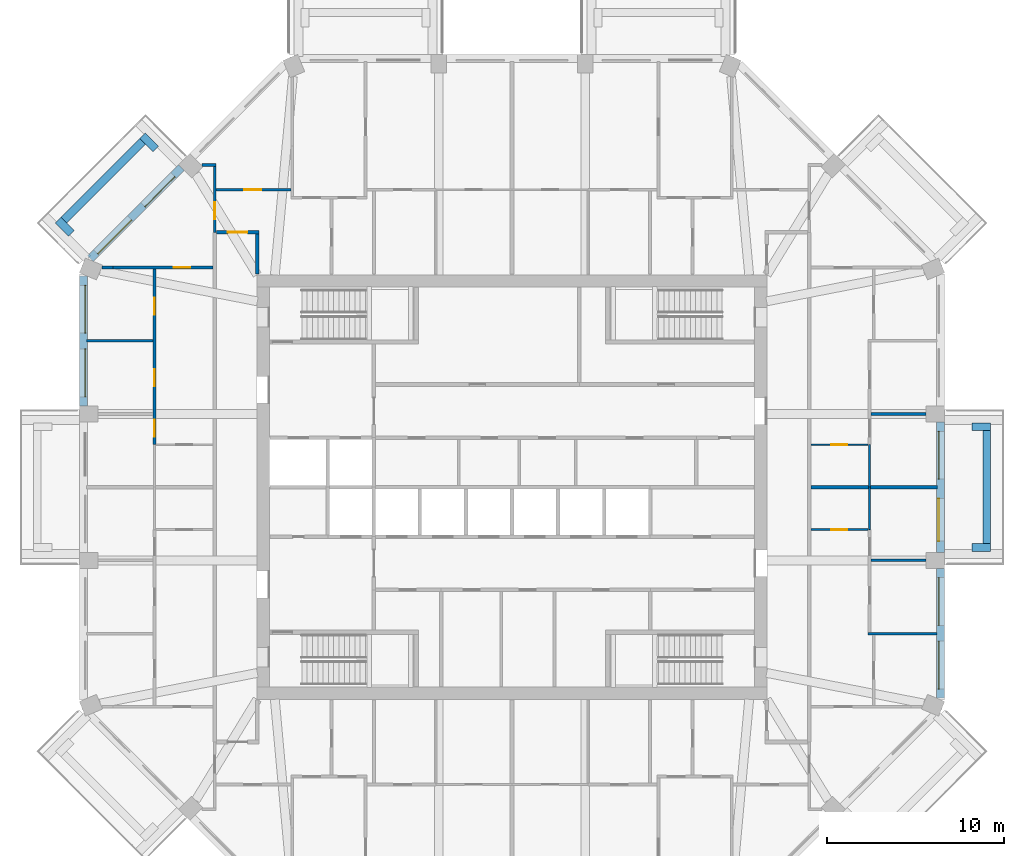
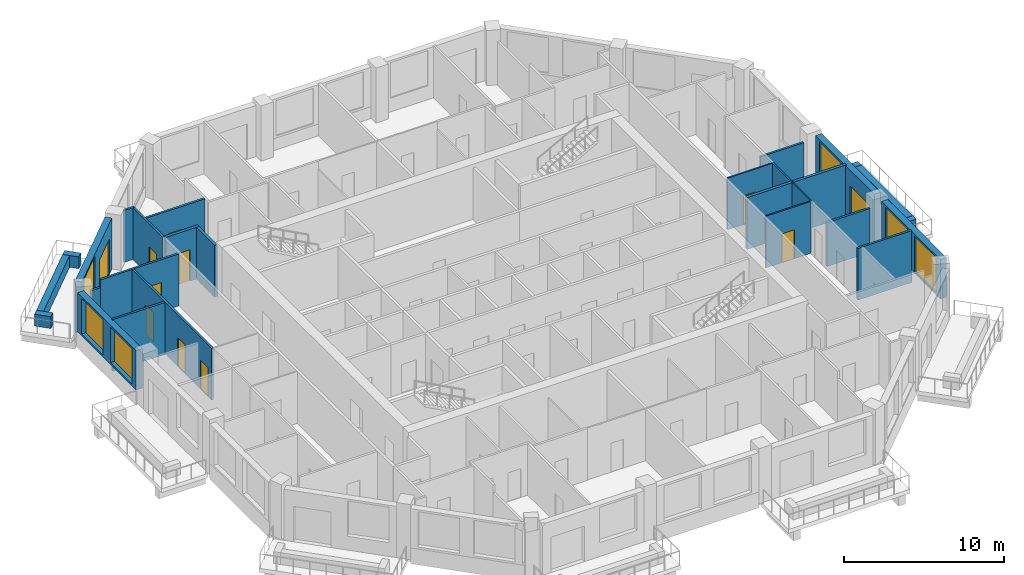
# One storey, part 7 of 12: 27 walls, 11 doors, 6 windows, 17 openings.
"""IFC4 building model written with IfcOpenShell, lengths in metres."""

from ifc_helpers import new_model, si_unit, direction, frame, frame_2d, origin, place, context, subcontext, project, spatial, rectangle, extrude, material, layer, layer_set, type_object, element, fill, save


model = new_model("IFC4")

# Units and contexts
model_context = context("Model", 3, precision=1e-05, world=origin(), true_north=direction((0.0, 1.0)))
body_context = subcontext(model_context, "Body", "Model", "MODEL_VIEW")
ifc_project = project(units=[si_unit("LENGTHUNIT", "METRE"), si_unit("AREAUNIT", "SQUARE_METRE"), si_unit("VOLUMEUNIT", "CUBIC_METRE"), si_unit("PLANEANGLEUNIT", "RADIAN"), si_unit("MASSUNIT", "GRAM", prefix="KILO")], contexts=[model_context])

# Site, building, storey
site_placement = place(None, origin())
site = spatial("IfcSite", under=ifc_project, at=site_placement, CompositionType="ELEMENT")
building_placement = place(site_placement, origin())
building = spatial("IfcBuilding", under=site, at=building_placement, Name="Msitu Wima Residences", CompositionType="ELEMENT")
storey_placement = place(building_placement, frame((0.0, 0.0, 179.10009765625)))
storey = spatial("IfcBuildingStorey", under=building, at=storey_placement, Name="L41", CompositionType="ELEMENT", Elevation=179.10009765625)

# Walls
ifc_material_1 = material(Name="Facing brick")
ifc_layer_1 = layer(ifc_material_1, 0.06494140625, Name="Facing brick")
ifc_material_2 = material(Name="Concrete C40/50", Category="concrete")
ifc_layer_2 = layer(ifc_material_2, 0.156005859375, Name="Concrete C40/50")
ifc_material_3 = material(Name="Waterproofing membrane")
ifc_layer_3 = layer(ifc_material_3, 0.00390625, Name="Waterproofing membrane")
ifc_material_4 = material(Name="Planting soil and planting")
ifc_layer_4 = layer(ifc_material_4, 0.22509765625, Name="Planting soil and planting")
ifc_layer_set_1 = layer_set([ifc_layer_1, ifc_layer_2, ifc_layer_3, ifc_layer_4], Name="Concrete C40/50")
wall_type_1 = type_object("IfcWallType", Name="Balcony planter PLANTER PL450", PredefinedType="USERDEFINED", material=ifc_layer_set_1)
wall_1_placement = place(storey_placement, frame((26.824951171875, -3.187255859375, 0.0), z_axis=(0.0, 0.0, 1.0), x_axis=(0.0, 1.0, 0.0)))
element("IfcWall", 1, at=wall_1_placement, inside=storey, type_object=wall_type_1, Name="Balcony planter E1 L41", ObjectType="PLANTER", PredefinedType="USERDEFINED", context=body_context, shape_type="SweptSolid", body=[
    extrude(rectangle(XDim=6.37451171875, YDim=0.449951171875, at=frame_2d((3.187255859375, 0.0))), origin(), (0.0, 0.0, 1.0), 0.89990234375),
])
for number, where, z_axis, x_axis, name in (
    (2, (26.0, -3.412353515625, 0.0), (0.0, 0.0, 1.0), (1.0, 0.0, 0.0), "Balcony planter E1 L41"),
    (3, (26.0, 3.412353515625, 0.0), (0.0, 0.0, 1.0), (1.0, 0.0, 0.0), "Balcony planter E1 L41"),
):
    element("IfcWall", number, at=place(storey_placement, frame(where, z_axis=z_axis, x_axis=x_axis)), inside=storey, type_object=wall_type_1, Name=name, ObjectType="PLANTER", PredefinedType="USERDEFINED", context=body_context, shape_type="SweptSolid", body=[
        extrude(rectangle(XDim=1.050048828125, YDim=0.449951171875, at=frame_2d((0.52490234375, 0.0))), origin(), (0.0, 0.0, 1.0), 0.89990234375),
    ])
wall_2_placement = place(storey_placement, frame((-20.875244140625, 19.53173828125, 0.0), z_axis=(0.0, 0.0, 1.0), x_axis=(-0.707106781187, -0.707106781187, 0.0)))
element("IfcWall", 4, at=wall_2_placement, inside=storey, type_object=wall_type_1, Name="Balcony planter NW1 L41", ObjectType="PLANTER", PredefinedType="USERDEFINED", context=body_context, shape_type="SweptSolid", body=[
    extrude(rectangle(XDim=6.294189453125, YDim=0.449951171875, at=frame_2d((3.14697265625, 0.0))), origin(), (0.0, 0.0, 1.0), 0.89990234375),
])
for number, where, z_axis, x_axis, name in (
    (5, (-20.1328125, 19.107421875, 0.0), (0.0, 0.0, 1.0), (-0.707106781187, 0.707106781187, 0.0), "Balcony planter NW1 L41"),
    (6, (-24.901611328125, 14.338623046875, 0.0), (0.0, 0.0, 1.0), (-0.707106781187, 0.707106781187, 0.0), "Balcony planter NW1 L41"),
):
    element("IfcWall", number, at=place(storey_placement, frame(where, z_axis=z_axis, x_axis=x_axis)), inside=storey, type_object=wall_type_1, Name=name, ObjectType="PLANTER", PredefinedType="USERDEFINED", context=body_context, shape_type="SweptSolid", body=[
        extrude(rectangle(XDim=1.050048828125, YDim=0.449951171875, at=frame_2d((0.52490234375, 0.0))), origin(), (0.0, 0.0, 1.0), 0.89990234375),
    ])

# Wall, openings, windows
ifc_material_5 = material(Name="Brick (red buff mix)", Category="masonry")
ifc_layer_5 = layer(ifc_material_5, 0.449951171875)
ifc_layer_set_2 = layer_set([ifc_layer_5], Name="Brick (red buff mix)")
wall_type_2 = type_object("IfcWallType", Name="Brick infill wall BW450", PredefinedType="SOLIDWALL", material=ifc_layer_set_2)
wall_3_placement = place(storey_placement, frame((24.22509765625, -11.9248046875, 0.89990234375), z_axis=(0.0, 0.0, 1.0), x_axis=(0.0, 1.0, 0.0)))
wall_3 = element("IfcWall", 7, at=wall_3_placement, inside=storey, type_object=wall_type_2, Name="Brick infill wall L41 E0", PredefinedType="SOLIDWALL", context=body_context, shape_type="SweptSolid", body=[
    extrude(rectangle(XDim=7.337646484375, YDim=0.449951171875, at=frame_2d((3.6689453125, 0.0))), origin(), (0.0, 0.0, 1.0), 3.0),
])
opening_1_placement = place(wall_3_placement, frame((0.518798828125, 0.0, 0.14990234375)))
opening_1 = element("IfcOpeningElement", 8, at=opening_1_placement, cuts=wall_3, Name="Opening W40-42.001", PredefinedType="OPENING", context=body_context, shape_type="SweptSolid", body=[
    extrude(rectangle(XDim=2.699951171875, YDim=2.699951171875, at=frame_2d((1.35009765625, 1.35009765625))), frame((0.0, 0.23486328125, 0.0), z_axis=(0.0, -1.0, 0.0), x_axis=(1.0, 0.0, 0.0)), (0.0, 0.0, 1.0), 0.469970703125),
])
opening_2_placement = place(wall_3_placement, frame((4.11865234375, 0.0, 0.14990234375)))
opening_2 = element("IfcOpeningElement", 9, at=opening_2_placement, cuts=wall_3, Name="Opening W40-42.002", PredefinedType="OPENING", context=body_context, shape_type="SweptSolid", body=[
    extrude(rectangle(XDim=2.699951171875, YDim=2.699951171875, at=frame_2d((1.35009765625, 1.35009765625))), frame((0.0, 0.23486328125, 0.0), z_axis=(0.0, -1.0, 0.0), x_axis=(1.0, 0.0, 0.0)), (0.0, 0.0, 1.0), 0.469970703125),
])
ifc_material_6 = material(Name="Anodised aluminium, bronze finish, clear low-emissivity double glazing", Category="aluminium")
window_type = type_object("IfcWindowType", Name="Window W2700x2700", PartitioningType="DOUBLE_PANEL_VERTICAL", PredefinedType="WINDOW", material=ifc_material_6)
window_1_placement = place(opening_1_placement, origin())
window_1 = element("IfcWindow", 10, at=window_1_placement, inside=storey, type_object=window_type, Name="Window L41 E0.1", OverallHeight=2.699951171875, OverallWidth=2.699951171875, PartitioningType="SINGLE_PANEL", PredefinedType="WINDOW", context=body_context, shape_type="SweptSolid", body=[
    extrude(rectangle(XDim=2.699951171875, YDim=2.699951171875, at=frame_2d((1.35009765625, 1.35009765625))), frame((0.0, 0.135009765625, 0.0), z_axis=(0.0, -1.0, 0.0), x_axis=(1.0, 0.0, 0.0)), (0.0, 0.0, 1.0), 0.06005859375),
])
fill(opening_1, window_1)
window_2_placement = place(opening_2_placement, origin())
window_2 = element("IfcWindow", 11, at=window_2_placement, inside=storey, type_object=window_type, Name="Window L41 E0.2", OverallHeight=2.699951171875, OverallWidth=2.699951171875, PartitioningType="SINGLE_PANEL", PredefinedType="WINDOW", context=body_context, shape_type="SweptSolid", body=[
    extrude(rectangle(XDim=2.699951171875, YDim=2.699951171875, at=frame_2d((1.35009765625, 1.35009765625))), frame((0.0, 0.135009765625, 0.0), z_axis=(0.0, -1.0, 0.0), x_axis=(1.0, 0.0, 0.0)), (0.0, 0.0, 1.0), 0.06005859375),
])
fill(opening_2, window_2)

# Wall, openings, door, window
wall_4_placement = place(storey_placement, frame((24.22509765625, -3.687255859375, 0.0), z_axis=(0.0, 0.0, 1.0), x_axis=(0.0, 1.0, 0.0)))
wall_4 = element("IfcWall", 12, at=wall_4_placement, inside=storey, type_object=wall_type_2, Name="Brick infill wall L41 E1", PredefinedType="SOLIDWALL", context=body_context, shape_type="SweptSolid", body=[
    extrude(rectangle(XDim=7.37451171875, YDim=0.449951171875, at=frame_2d((3.687255859375, 0.0))), origin(), (0.0, 0.0, 1.0), 3.89990234375),
])
opening_3_placement = place(wall_4_placement, frame((0.6435546875, 0.0, 0.0)))
opening_3 = element("IfcOpeningElement", 13, at=opening_3_placement, cuts=wall_4, Name="Opening D40-42.001", PredefinedType="OPENING", context=body_context, shape_type="SweptSolid", body=[
    extrude(rectangle(XDim=2.39990234375, YDim=2.699951171875, at=frame_2d((1.199951171875, 1.35009765625))), frame((0.0, 0.23486328125, 0.0), z_axis=(0.0, -1.0, 0.0), x_axis=(1.0, 0.0, 0.0)), (0.0, 0.0, 1.0), 0.469970703125),
])
opening_4_placement = place(wall_4_placement, frame((4.13720703125, 0.0, 1.050048828125)))
opening_4 = element("IfcOpeningElement", 14, at=opening_4_placement, cuts=wall_4, Name="Opening W40-42.003", PredefinedType="OPENING", context=body_context, shape_type="SweptSolid", body=[
    extrude(rectangle(XDim=2.699951171875, YDim=2.699951171875, at=frame_2d((1.35009765625, 1.35009765625))), frame((0.0, 0.23486328125, 0.0), z_axis=(0.0, -1.0, 0.0), x_axis=(1.0, 0.0, 0.0)), (0.0, 0.0, 1.0), 0.469970703125),
])
door_type_1 = type_object("IfcDoorType", Name="Balcony door D2400x2700", OperationType="SLIDING_TO_LEFT", PredefinedType="DOOR", material=ifc_material_6)
door_1_placement = place(opening_3_placement, origin())
door_1 = element("IfcDoor", 15, at=door_1_placement, inside=storey, type_object=door_type_1, Name="Balcony door L41 E1", OperationType="SINGLE_SWING_LEFT", OverallHeight=2.699951171875, OverallWidth=2.39990234375, PredefinedType="DOOR", context=body_context, shape_type="SweptSolid", body=[
    extrude(rectangle(XDim=2.39990234375, YDim=2.699951171875, at=frame_2d((1.199951171875, 1.35009765625))), frame((0.0, 0.1298828125, 0.0), z_axis=(0.0, -1.0, 0.0), x_axis=(1.0, 0.0, 0.0)), (0.0, 0.0, 1.0), 0.050048828125),
])
fill(opening_3, door_1)
window_3_placement = place(opening_4_placement, origin())
window_3 = element("IfcWindow", 16, at=window_3_placement, inside=storey, type_object=window_type, Name="Window L41 E1.2", OverallHeight=2.699951171875, OverallWidth=2.699951171875, PartitioningType="SINGLE_PANEL", PredefinedType="WINDOW", context=body_context, shape_type="SweptSolid", body=[
    extrude(rectangle(XDim=2.699951171875, YDim=2.699951171875, at=frame_2d((1.35009765625, 1.35009765625))), frame((0.0, 0.135009765625, 0.0), z_axis=(0.0, -1.0, 0.0), x_axis=(1.0, 0.0, 0.0)), (0.0, 0.0, 1.0), 0.06005859375),
])
fill(opening_4, window_3)

wall_5_placement = place(storey_placement, frame((-18.68310546875, 18.046875, 0.0), z_axis=(0.0, 0.0, 1.0), x_axis=(-0.707106781187, -0.707106781187, 0.0)))
wall_5 = element("IfcWall", 17, at=wall_5_placement, inside=storey, type_object=wall_type_2, Name="Brick infill wall L41 NW1", PredefinedType="SOLIDWALL", context=body_context, shape_type="SweptSolid", body=[
    extrude(rectangle(XDim=7.257080078125, YDim=0.449951171875, at=frame_2d((3.62841796875, 0.0))), origin(), (0.0, 0.0, 1.0), 3.89990234375),
])
opening_5_placement = place(wall_5_placement, frame((0.6142578125, 0.0, 0.0)))
opening_5 = element("IfcOpeningElement", 18, at=opening_5_placement, cuts=wall_5, Name="Opening D40-42.005", PredefinedType="OPENING", context=body_context, shape_type="SweptSolid", body=[
    extrude(rectangle(XDim=2.39990234375, YDim=2.699951171875, at=frame_2d((1.199951171875, 1.35009765625))), frame((0.0, 0.23486328125, 0.0), z_axis=(0.0, -1.0, 0.0), x_axis=(1.0, 0.0, 0.0)), (0.0, 0.0, 1.0), 0.469970703125),
])
opening_6_placement = place(wall_5_placement, frame((4.07861328125, 0.0, 1.050048828125)))
opening_6 = element("IfcOpeningElement", 19, at=opening_6_placement, cuts=wall_5, Name="Opening W40-42.015", PredefinedType="OPENING", context=body_context, shape_type="SweptSolid", body=[
    extrude(rectangle(XDim=2.699951171875, YDim=2.699951171875, at=frame_2d((1.35009765625, 1.35009765625))), frame((0.0, 0.23486328125, 0.0), z_axis=(0.0, -1.0, 0.0), x_axis=(1.0, 0.0, 0.0)), (0.0, 0.0, 1.0), 0.469970703125),
])
door_2_placement = place(opening_5_placement, origin())
door_2 = element("IfcDoor", 20, at=door_2_placement, inside=storey, type_object=door_type_1, Name="Balcony door L41 NW1", OperationType="SINGLE_SWING_LEFT", OverallHeight=2.699951171875, OverallWidth=2.39990234375, PredefinedType="DOOR", context=body_context, shape_type="SweptSolid", body=[
    extrude(rectangle(XDim=2.39990234375, YDim=2.699951171875, at=frame_2d((1.199951171875, 1.35009765625))), frame((0.0, 0.1298828125, 0.0), z_axis=(0.0, -1.0, 0.0), x_axis=(1.0, 0.0, 0.0)), (0.0, 0.0, 1.0), 0.050048828125),
])
fill(opening_5, door_2)
window_4_placement = place(opening_6_placement, origin())
window_4 = element("IfcWindow", 21, at=window_4_placement, inside=storey, type_object=window_type, Name="Window L41 NW1.2", OverallHeight=2.699951171875, OverallWidth=2.699951171875, PartitioningType="SINGLE_PANEL", PredefinedType="WINDOW", context=body_context, shape_type="SweptSolid", body=[
    extrude(rectangle(XDim=2.699951171875, YDim=2.699951171875, at=frame_2d((1.35009765625, 1.35009765625))), frame((0.0, 0.135009765625, 0.0), z_axis=(0.0, -1.0, 0.0), x_axis=(1.0, 0.0, 0.0)), (0.0, 0.0, 1.0), 0.06005859375),
])
fill(opening_6, window_4)

# Wall, openings, windows
wall_6_placement = place(storey_placement, frame((-24.22509765625, 11.9248046875, 0.89990234375), z_axis=(0.0, 0.0, 1.0), x_axis=(0.0, -1.0, 0.0)))
wall_6 = element("IfcWall", 22, at=wall_6_placement, inside=storey, type_object=wall_type_2, Name="Brick infill wall L41 W0", PredefinedType="SOLIDWALL", context=body_context, shape_type="SweptSolid", body=[
    extrude(rectangle(XDim=7.337646484375, YDim=0.449951171875, at=frame_2d((3.6689453125, 0.0))), origin(), (0.0, 0.0, 1.0), 3.0),
])
opening_7_placement = place(wall_6_placement, frame((0.518798828125, 0.0, 0.14990234375)))
opening_7 = element("IfcOpeningElement", 23, at=opening_7_placement, cuts=wall_6, Name="Opening W40-42.026", PredefinedType="OPENING", context=body_context, shape_type="SweptSolid", body=[
    extrude(rectangle(XDim=2.699951171875, YDim=2.699951171875, at=frame_2d((1.35009765625, 1.35009765625))), frame((0.0, 0.23486328125, 0.0), z_axis=(0.0, -1.0, 0.0), x_axis=(1.0, 0.0, 0.0)), (0.0, 0.0, 1.0), 0.469970703125),
])
opening_8_placement = place(wall_6_placement, frame((4.11865234375, 0.0, 0.14990234375)))
opening_8 = element("IfcOpeningElement", 24, at=opening_8_placement, cuts=wall_6, Name="Opening W40-42.027", PredefinedType="OPENING", context=body_context, shape_type="SweptSolid", body=[
    extrude(rectangle(XDim=2.699951171875, YDim=2.699951171875, at=frame_2d((1.35009765625, 1.35009765625))), frame((0.0, 0.23486328125, 0.0), z_axis=(0.0, -1.0, 0.0), x_axis=(1.0, 0.0, 0.0)), (0.0, 0.0, 1.0), 0.469970703125),
])
window_5_placement = place(opening_7_placement, origin())
window_5 = element("IfcWindow", 25, at=window_5_placement, inside=storey, type_object=window_type, Name="Window L41 W0.1", OverallHeight=2.699951171875, OverallWidth=2.699951171875, PartitioningType="SINGLE_PANEL", PredefinedType="WINDOW", context=body_context, shape_type="SweptSolid", body=[
    extrude(rectangle(XDim=2.699951171875, YDim=2.699951171875, at=frame_2d((1.35009765625, 1.35009765625))), frame((0.0, 0.135009765625, 0.0), z_axis=(0.0, -1.0, 0.0), x_axis=(1.0, 0.0, 0.0)), (0.0, 0.0, 1.0), 0.06005859375),
])
fill(opening_7, window_5)
window_6_placement = place(opening_8_placement, origin())
window_6 = element("IfcWindow", 26, at=window_6_placement, inside=storey, type_object=window_type, Name="Window L41 W0.2", OverallHeight=2.699951171875, OverallWidth=2.699951171875, PartitioningType="SINGLE_PANEL", PredefinedType="WINDOW", context=body_context, shape_type="SweptSolid", body=[
    extrude(rectangle(XDim=2.699951171875, YDim=2.699951171875, at=frame_2d((1.35009765625, 1.35009765625))), frame((0.0, 0.135009765625, 0.0), z_axis=(0.0, -1.0, 0.0), x_axis=(1.0, 0.0, 0.0)), (0.0, 0.0, 1.0), 0.06005859375),
])
fill(opening_8, window_6)

# Wall, opening, door
ifc_material_7 = material(Name="Plaster")
ifc_layer_6 = layer(ifc_material_7, 0.011962890625, Name="Plaster")
ifc_material_8 = material(Name="Concrete blockwork", Category="masonry")
ifc_layer_7 = layer(ifc_material_8, 0.176025390625, Name="Concrete blockwork")
ifc_layer_8 = layer(ifc_material_7, 0.011962890625, Name="Plaster")
ifc_layer_set_3 = layer_set([ifc_layer_6, ifc_layer_7, ifc_layer_8], Name="Concrete blockwork")
wall_type_3 = type_object("IfcWallType", Name="Corridor wall FW200", PredefinedType="PARTITIONING", material=ifc_layer_set_3)
wall_7_placement = place(storey_placement, frame((-16.699951171875, 14.39990234375, 0.0), z_axis=(0.0, 0.0, 1.0), x_axis=(1.0, 0.0, 0.0)))
wall_7 = element("IfcWall", 27, at=wall_7_placement, inside=storey, type_object=wall_type_3, Name="Corridor wall", PredefinedType="PARTITIONING", context=body_context, shape_type="SweptSolid", body=[
    extrude(rectangle(XDim=2.39990234375, YDim=0.199951171875, at=frame_2d((1.199951171875, 0.0))), origin(), (0.0, 0.0, 1.0), 3.949951171875),
])
opening_9_placement = place(wall_7_placement, frame((0.64990234375, 0.0, 0.0)))
opening_9 = element("IfcOpeningElement", 28, at=opening_9_placement, cuts=wall_7, Name="Opening D40-42.025", PredefinedType="OPENING", context=body_context, shape_type="SweptSolid", body=[
    extrude(rectangle(XDim=1.10009765625, YDim=2.39990234375, at=frame_2d((0.550048828125, 1.199951171875))), frame((0.0, 0.10986328125, 0.0), z_axis=(0.0, -1.0, 0.0), x_axis=(1.0, 0.0, 0.0)), (0.0, 0.0, 1.0), 0.219970703125),
])
ifc_material_9 = material(Name="Timber flush door, fire resisting, self-closing", Category="wood")
door_type_2 = type_object("IfcDoorType", Name="Flat entrance door D01 1100x2400", OperationType="SINGLE_SWING_LEFT", PredefinedType="DOOR", material=ifc_material_9)
door_3_placement = place(opening_9_placement, origin())
door_3 = element("IfcDoor", 29, at=door_3_placement, inside=storey, type_object=door_type_2, Name="Flat entrance door", OperationType="SINGLE_SWING_LEFT", OverallHeight=2.39990234375, OverallWidth=1.10009765625, PredefinedType="DOOR", context=body_context, shape_type="SweptSolid", body=[
    extrude(rectangle(XDim=1.10009765625, YDim=2.39990234375, at=frame_2d((0.550048828125, 1.199951171875))), frame((0.0, 0.02490234375, 0.0), z_axis=(0.0, -1.0, 0.0), x_axis=(1.0, 0.0, 0.0)), (0.0, 0.0, 1.0), 0.050048828125),
])
fill(opening_9, door_3)

# Walls
wall_8_placement = place(storey_placement, frame((-14.39990234375, 12.030029296875, 0.0), z_axis=(0.0, 0.0, 1.0), x_axis=(0.0, 1.0, 0.0)))
element("IfcWall", 30, at=wall_8_placement, inside=storey, type_object=wall_type_3, Name="Corridor wall", PredefinedType="PARTITIONING", context=body_context, shape_type="SweptSolid", body=[
    extrude(rectangle(XDim=2.27001953125, YDim=0.199951171875, at=frame_2d((1.135009765625, 0.0))), origin(), (0.0, 0.0, 1.0), 3.949951171875),
])
ifc_layer_9 = layer(ifc_material_7, 0.011962890625, Name="Plaster")
ifc_layer_10 = layer(ifc_material_8, 0.1259765625, Name="Concrete blockwork")
ifc_layer_11 = layer(ifc_material_7, 0.011962890625, Name="Plaster")
ifc_layer_set_4 = layer_set([ifc_layer_9, ifc_layer_10, ifc_layer_11], Name="Concrete blockwork")
wall_type_4 = type_object("IfcWallType", Name="Partition PW150", PredefinedType="PARTITIONING", material=ifc_layer_set_4)
wall_9_placement = place(storey_placement, frame((-24.054931640625, 8.2744140625, 0.0), z_axis=(0.0, 0.0, 1.0), x_axis=(1.0, 0.0, 0.0)))
element("IfcWall", 31, at=wall_9_placement, inside=storey, type_object=wall_type_4, Name="Partition", PredefinedType="PARTITIONING", context=body_context, shape_type="SweptSolid", body=[
    extrude(rectangle(XDim=3.780029296875, YDim=0.14990234375, at=frame_2d((1.89013671875, 0.0))), origin(), (0.0, 0.0, 1.0), 3.949951171875),
])
wall_10_placement = place(storey_placement, frame((-23.1689453125, 12.411865234375, 0.0), z_axis=(0.0, 0.0, 1.0), x_axis=(1.0, 0.0, 0.0)))
element("IfcWall", 32, at=wall_10_placement, inside=storey, type_object=wall_type_4, Name="Partition", PredefinedType="PARTITIONING", context=body_context, shape_type="SweptSolid", body=[
    extrude(rectangle(XDim=0.630615234375, YDim=0.14990234375, at=frame_2d((0.3154296875, 0.0))), origin(), (0.0, 0.0, 1.0), 3.349853515625),
])

# Wall, opening, door
wall_11_placement = place(storey_placement, frame((-22.538330078125, 12.411865234375, 0.0), z_axis=(0.0, 0.0, 1.0), x_axis=(1.0, 0.0, 0.0)))
wall_11 = element("IfcWall", 33, at=wall_11_placement, inside=storey, type_object=wall_type_4, Name="Partition", PredefinedType="PARTITIONING", context=body_context, shape_type="SweptSolid", body=[
    extrude(rectangle(XDim=5.638427734375, YDim=0.14990234375, at=frame_2d((2.8193359375, 0.0))), origin(), (0.0, 0.0, 1.0), 3.949951171875),
])
opening_10_placement = place(wall_11_placement, frame((3.41943359375, 0.0, 0.0)))
opening_10 = element("IfcOpeningElement", 34, at=opening_10_placement, cuts=wall_11, Name="Opening D40-42.035", PredefinedType="OPENING", context=body_context, shape_type="SweptSolid", body=[
    extrude(rectangle(XDim=0.949951171875, YDim=2.199951171875, at=frame_2d((0.47509765625, 1.10009765625))), frame((0.0, 0.0849609375, 0.0), z_axis=(0.0, -1.0, 0.0), x_axis=(1.0, 0.0, 0.0)), (0.0, 0.0, 1.0), 0.169921875),
])
ifc_material_10 = material(Name="Timber flush door", Category="wood")
door_type_3 = type_object("IfcDoorType", Name="Room door D12 950x2200", OperationType="SINGLE_SWING_LEFT", PredefinedType="DOOR", material=ifc_material_10)
door_4_placement = place(opening_10_placement, origin())
door_4 = element("IfcDoor", 35, at=door_4_placement, inside=storey, type_object=door_type_3, Name="Room door", OperationType="SINGLE_SWING_RIGHT", OverallHeight=2.199951171875, OverallWidth=0.949951171875, PredefinedType="DOOR", context=body_context, shape_type="SweptSolid", body=[
    extrude(rectangle(XDim=0.949951171875, YDim=2.199951171875, at=frame_2d((0.47509765625, 1.10009765625))), frame((0.0, 0.02490234375, 0.0), z_axis=(0.0, -1.0, 0.0), x_axis=(1.0, 0.0, 0.0)), (0.0, 0.0, 1.0), 0.050048828125),
])
fill(opening_10, door_4)

# Wall, openings, doors
wall_12_placement = place(storey_placement, frame((-20.199951171875, 2.39990234375, 0.0), z_axis=(0.0, 0.0, 1.0), x_axis=(0.0, 1.0, 0.0)))
wall_12 = element("IfcWall", 36, at=wall_12_placement, inside=storey, type_object=wall_type_4, Name="Partition", PredefinedType="PARTITIONING", context=body_context, shape_type="SweptSolid", body=[
    extrude(rectangle(XDim=9.936767578125, YDim=0.14990234375, at=frame_2d((4.96826171875, 0.0))), origin(), (0.0, 0.0, 1.0), 3.949951171875),
])
opening_11_placement = place(wall_12_placement, frame((0.449951171875, 0.0, 0.0)))
opening_11 = element("IfcOpeningElement", 37, at=opening_11_placement, cuts=wall_12, Name="Opening D40-42.036", PredefinedType="OPENING", context=body_context, shape_type="SweptSolid", body=[
    extrude(rectangle(XDim=0.949951171875, YDim=2.199951171875, at=frame_2d((0.47509765625, 1.10009765625))), frame((0.0, 0.0849609375, 0.0), z_axis=(0.0, -1.0, 0.0), x_axis=(1.0, 0.0, 0.0)), (0.0, 0.0, 1.0), 0.169921875),
])
opening_12_placement = place(wall_12_placement, frame((3.300048828125, 0.0, 0.0)))
opening_12 = element("IfcOpeningElement", 38, at=opening_12_placement, cuts=wall_12, Name="Opening D40-42.037", PredefinedType="OPENING", context=body_context, shape_type="SweptSolid", body=[
    extrude(rectangle(XDim=0.949951171875, YDim=2.199951171875, at=frame_2d((0.47509765625, 1.10009765625))), frame((0.0, 0.0849609375, 0.0), z_axis=(0.0, -1.0, 0.0), x_axis=(1.0, 0.0, 0.0)), (0.0, 0.0, 1.0), 0.169921875),
])
opening_13_placement = place(wall_12_placement, frame((7.35009765625, 0.0, 0.0)))
opening_13 = element("IfcOpeningElement", 39, at=opening_13_placement, cuts=wall_12, Name="Opening D40-42.038", PredefinedType="OPENING", context=body_context, shape_type="SweptSolid", body=[
    extrude(rectangle(XDim=0.949951171875, YDim=2.199951171875, at=frame_2d((0.47509765625, 1.10009765625))), frame((0.0, 0.0849609375, 0.0), z_axis=(0.0, -1.0, 0.0), x_axis=(1.0, 0.0, 0.0)), (0.0, 0.0, 1.0), 0.169921875),
])
door_5_placement = place(opening_11_placement, origin())
door_5 = element("IfcDoor", 40, at=door_5_placement, inside=storey, type_object=door_type_3, Name="Room door", OperationType="SINGLE_SWING_RIGHT", OverallHeight=2.199951171875, OverallWidth=0.949951171875, PredefinedType="DOOR", context=body_context, shape_type="SweptSolid", body=[
    extrude(rectangle(XDim=0.949951171875, YDim=2.199951171875, at=frame_2d((0.47509765625, 1.10009765625))), frame((0.0, 0.02490234375, 0.0), z_axis=(0.0, -1.0, 0.0), x_axis=(1.0, 0.0, 0.0)), (0.0, 0.0, 1.0), 0.050048828125),
])
fill(opening_11, door_5)
door_6_placement = place(opening_12_placement, origin())
door_6 = element("IfcDoor", 41, at=door_6_placement, inside=storey, type_object=door_type_3, Name="Room door", OperationType="SINGLE_SWING_RIGHT", OverallHeight=2.199951171875, OverallWidth=0.949951171875, PredefinedType="DOOR", context=body_context, shape_type="SweptSolid", body=[
    extrude(rectangle(XDim=0.949951171875, YDim=2.199951171875, at=frame_2d((0.47509765625, 1.10009765625))), frame((0.0, 0.02490234375, 0.0), z_axis=(0.0, -1.0, 0.0), x_axis=(1.0, 0.0, 0.0)), (0.0, 0.0, 1.0), 0.050048828125),
])
fill(opening_12, door_6)
door_7_placement = place(opening_13_placement, origin())
door_7 = element("IfcDoor", 42, at=door_7_placement, inside=storey, type_object=door_type_3, Name="Room door", OperationType="SINGLE_SWING_LEFT", OverallHeight=2.199951171875, OverallWidth=0.949951171875, PredefinedType="DOOR", context=body_context, shape_type="SweptSolid", body=[
    extrude(rectangle(XDim=0.949951171875, YDim=2.199951171875, at=frame_2d((0.47509765625, 1.10009765625))), frame((0.0, 0.02490234375, 0.0), z_axis=(0.0, -1.0, 0.0), x_axis=(1.0, 0.0, 0.0)), (0.0, 0.0, 1.0), 0.050048828125),
])
fill(opening_13, door_7)

# Wall
wall_13_placement = place(storey_placement, frame((-17.509521484375, 18.205810546875, 0.0), z_axis=(0.0, 0.0, 1.0), x_axis=(1.0, 0.0, 0.0)))
element("IfcWall", 43, at=wall_13_placement, inside=storey, type_object=wall_type_4, Name="Partition", PredefinedType="PARTITIONING", context=body_context, shape_type="SweptSolid", body=[
    extrude(rectangle(XDim=0.784423828125, YDim=0.14990234375, at=frame_2d((0.39208984375, 0.0))), origin(), (0.0, 0.0, 1.0), 3.949951171875),
])

# Wall, opening, door
wall_14_placement = place(storey_placement, frame((-16.800048828125, 14.39990234375, 0.0), z_axis=(0.0, 0.0, 1.0), x_axis=(0.0, 1.0, 0.0)))
wall_14 = element("IfcWall", 44, at=wall_14_placement, inside=storey, type_object=wall_type_4, Name="Partition", PredefinedType="PARTITIONING", context=body_context, shape_type="SweptSolid", body=[
    extrude(rectangle(XDim=3.73095703125, YDim=0.14990234375, at=frame_2d((1.865478515625, 0.0))), origin(), (0.0, 0.0, 1.0), 3.949951171875),
])
opening_14_placement = place(wall_14_placement, frame((0.75, 0.0, 0.0)))
opening_14 = element("IfcOpeningElement", 45, at=opening_14_placement, cuts=wall_14, Name="Opening D40-42.033", PredefinedType="OPENING", context=body_context, shape_type="SweptSolid", body=[
    extrude(rectangle(XDim=0.949951171875, YDim=2.199951171875, at=frame_2d((0.47509765625, 1.10009765625))), frame((0.0, 0.0849609375, 0.0), z_axis=(0.0, -1.0, 0.0), x_axis=(1.0, 0.0, 0.0)), (0.0, 0.0, 1.0), 0.169921875),
])
door_8_placement = place(opening_14_placement, origin())
door_8 = element("IfcDoor", 46, at=door_8_placement, inside=storey, type_object=door_type_3, Name="Room door", OperationType="SINGLE_SWING_RIGHT", OverallHeight=2.199951171875, OverallWidth=0.949951171875, PredefinedType="DOOR", context=body_context, shape_type="SweptSolid", body=[
    extrude(rectangle(XDim=0.949951171875, YDim=2.199951171875, at=frame_2d((0.47509765625, 1.10009765625))), frame((0.0, 0.02490234375, 0.0), z_axis=(0.0, -1.0, 0.0), x_axis=(1.0, 0.0, 0.0)), (0.0, 0.0, 1.0), 0.050048828125),
])
fill(opening_14, door_8)

wall_15_placement = place(storey_placement, frame((-16.72509765625, 16.800048828125, 0.0), z_axis=(0.0, 0.0, 1.0), x_axis=(1.0, 0.0, 0.0)))
wall_15 = element("IfcWall", 47, at=wall_15_placement, inside=storey, type_object=wall_type_4, Name="Partition", PredefinedType="PARTITIONING", context=body_context, shape_type="SweptSolid", body=[
    extrude(rectangle(XDim=4.23828125, YDim=0.14990234375, at=frame_2d((2.119140625, 0.0))), origin(), (0.0, 0.0, 1.0), 3.949951171875),
])
opening_15_placement = place(wall_15_placement, frame((1.60009765625, 0.0, 0.0)))
opening_15 = element("IfcOpeningElement", 48, at=opening_15_placement, cuts=wall_15, Name="Opening D40-42.032", PredefinedType="OPENING", context=body_context, shape_type="SweptSolid", body=[
    extrude(rectangle(XDim=0.949951171875, YDim=2.199951171875, at=frame_2d((0.47509765625, 1.10009765625))), frame((0.0, 0.0849609375, 0.0), z_axis=(0.0, -1.0, 0.0), x_axis=(1.0, 0.0, 0.0)), (0.0, 0.0, 1.0), 0.169921875),
])
door_9_placement = place(opening_15_placement, origin())
door_9 = element("IfcDoor", 49, at=door_9_placement, inside=storey, type_object=door_type_3, Name="Room door", OperationType="SINGLE_SWING_LEFT", OverallHeight=2.199951171875, OverallWidth=0.949951171875, PredefinedType="DOOR", context=body_context, shape_type="SweptSolid", body=[
    extrude(rectangle(XDim=0.949951171875, YDim=2.199951171875, at=frame_2d((0.47509765625, 1.10009765625))), frame((0.0, 0.02490234375, 0.0), z_axis=(0.0, -1.0, 0.0), x_axis=(1.0, 0.0, 0.0)), (0.0, 0.0, 1.0), 0.050048828125),
])
fill(opening_15, door_9)

# Walls
wall_16_placement = place(storey_placement, frame((20.125, -8.2744140625, 0.0), z_axis=(0.0, 0.0, 1.0), x_axis=(1.0, 0.0, 0.0)))
element("IfcWall", 50, at=wall_16_placement, inside=storey, type_object=wall_type_4, Name="Partition", PredefinedType="PARTITIONING", context=body_context, shape_type="SweptSolid", body=[
    extrude(rectangle(XDim=3.89990234375, YDim=0.14990234375, at=frame_2d((1.949951171875, 0.0))), origin(), (0.0, 0.0, 1.0), 3.949951171875),
])
for number, where, z_axis, x_axis, name in (
    (51, (20.27490234375, -4.13720703125, 0.0), (0.0, 0.0, 1.0), (1.0, 0.0, 0.0), "Partition"),
    (52, (20.27490234375, 4.13720703125, 0.0), (0.0, 0.0, 1.0), (1.0, 0.0, 0.0), "Partition"),
):
    element("IfcWall", number, at=place(storey_placement, frame(where, z_axis=z_axis, x_axis=x_axis)), inside=storey, type_object=wall_type_4, Name=name, PredefinedType="PARTITIONING", context=body_context, shape_type="SweptSolid", body=[
        extrude(rectangle(XDim=3.125, YDim=0.14990234375, at=frame_2d((1.5625, 0.0))), origin(), (0.0, 0.0, 1.0), 3.349853515625),
    ])
ifc_layer_12 = layer(ifc_material_7, 0.011962890625, Name="Plaster")
ifc_material_11 = material(Name="Dense concrete blockwork", Category="masonry")
ifc_layer_13 = layer(ifc_material_11, 0.176025390625, Name="Dense concrete blockwork")
ifc_layer_14 = layer(ifc_material_7, 0.011962890625, Name="Plaster")
ifc_layer_set_5 = layer_set([ifc_layer_12, ifc_layer_13, ifc_layer_14], Name="Dense concrete blockwork")
wall_type_5 = type_object("IfcWallType", Name="Party wall PW200", PredefinedType="PARTITIONING", material=ifc_layer_set_5)
wall_17_placement = place(storey_placement, frame((16.89990234375, 0.0, 0.0), z_axis=(0.0, 0.0, 1.0), x_axis=(1.0, 0.0, 0.0)))
element("IfcWall", 53, at=wall_17_placement, inside=storey, type_object=wall_type_5, Name="Party wall", PredefinedType="PARTITIONING", context=body_context, shape_type="SweptSolid", body=[
    extrude(rectangle(XDim=7.155029296875, YDim=0.199951171875, at=frame_2d((3.57763671875, 0.0))), origin(), (0.0, 0.0, 1.0), 3.949951171875),
])

# Wall, opening, door
ifc_material_12 = material(Name="Ceramic tiles")
ifc_layer_15 = layer(ifc_material_12, 0.008056640625, Name="Ceramic tiles")
ifc_material_13 = material(Name="Moisture-resistant board")
ifc_layer_16 = layer(ifc_material_13, 0.012451171875, Name="Moisture-resistant board")
ifc_material_14 = material(Name="Light-gauge stud framing with mineral wool")
ifc_layer_17 = layer(ifc_material_14, 0.06689453125, Name="Light-gauge stud framing with mineral wool")
ifc_layer_18 = layer(ifc_material_13, 0.012451171875, Name="Moisture-resistant board")
ifc_layer_set_6 = layer_set([ifc_layer_15, ifc_layer_16, ifc_layer_17, ifc_layer_18], Name="Light-gauge stud framing with mineral wool")
wall_type_6 = type_object("IfcWallType", Name="Wet wall PW100", PredefinedType="PARTITIONING", material=ifc_layer_set_6)
wall_18_placement = place(storey_placement, frame((16.89990234375, -2.39990234375, 0.0), z_axis=(0.0, 0.0, 1.0), x_axis=(1.0, 0.0, 0.0)))
wall_18 = element("IfcWall", 54, at=wall_18_placement, inside=storey, type_object=wall_type_6, Name="Wet wall", PredefinedType="PARTITIONING", context=body_context, shape_type="SweptSolid", body=[
    extrude(rectangle(XDim=3.22509765625, YDim=0.10009765625, at=frame_2d((1.612548828125, 0.0))), origin(), (0.0, 0.0, 1.0), 3.949951171875),
])
opening_16_placement = place(wall_18_placement, frame((1.14990234375, 0.0, 0.0)))
opening_16 = element("IfcOpeningElement", 55, at=opening_16_placement, cuts=wall_18, Name="Opening D40-42.057", PredefinedType="OPENING", context=body_context, shape_type="SweptSolid", body=[
    extrude(rectangle(XDim=0.89990234375, YDim=2.199951171875, at=frame_2d((0.449951171875, 1.10009765625))), frame((0.0, 0.06005859375, 0.0), z_axis=(0.0, -1.0, 0.0), x_axis=(1.0, 0.0, 0.0)), (0.0, 0.0, 1.0), 0.1201171875),
])
ifc_material_15 = material(Name="Timber flush door, moisture resistant", Category="wood")
door_type_4 = type_object("IfcDoorType", Name="Bathroom door D03 900x2200", OperationType="SINGLE_SWING_LEFT", PredefinedType="DOOR", material=ifc_material_15)
door_10_placement = place(opening_16_placement, origin())
door_10 = element("IfcDoor", 56, at=door_10_placement, inside=storey, type_object=door_type_4, Name="Bathroom door", OperationType="SINGLE_SWING_LEFT", OverallHeight=2.199951171875, OverallWidth=0.89990234375, PredefinedType="DOOR", context=body_context, shape_type="SweptSolid", body=[
    extrude(rectangle(XDim=0.89990234375, YDim=2.199951171875, at=frame_2d((0.449951171875, 1.10009765625))), frame((0.0, 0.02490234375, 0.0), z_axis=(0.0, -1.0, 0.0), x_axis=(1.0, 0.0, 0.0)), (0.0, 0.0, 1.0), 0.050048828125),
])
fill(opening_16, door_10)

wall_19_placement = place(storey_placement, frame((16.89990234375, 2.39990234375, 0.0), z_axis=(0.0, 0.0, 1.0), x_axis=(1.0, 0.0, 0.0)))
wall_19 = element("IfcWall", 57, at=wall_19_placement, inside=storey, type_object=wall_type_6, Name="Wet wall", PredefinedType="PARTITIONING", context=body_context, shape_type="SweptSolid", body=[
    extrude(rectangle(XDim=3.22509765625, YDim=0.10009765625, at=frame_2d((1.612548828125, 0.0))), origin(), (0.0, 0.0, 1.0), 3.949951171875),
])
opening_17_placement = place(wall_19_placement, frame((1.14990234375, 0.0, 0.0)))
opening_17 = element("IfcOpeningElement", 58, at=opening_17_placement, cuts=wall_19, Name="Opening D40-42.015", PredefinedType="OPENING", context=body_context, shape_type="SweptSolid", body=[
    extrude(rectangle(XDim=0.89990234375, YDim=2.199951171875, at=frame_2d((0.449951171875, 1.10009765625))), frame((0.0, 0.06005859375, 0.0), z_axis=(0.0, -1.0, 0.0), x_axis=(1.0, 0.0, 0.0)), (0.0, 0.0, 1.0), 0.1201171875),
])
door_11_placement = place(opening_17_placement, origin())
door_11 = element("IfcDoor", 59, at=door_11_placement, inside=storey, type_object=door_type_4, Name="Bathroom door", OperationType="SINGLE_SWING_RIGHT", OverallHeight=2.199951171875, OverallWidth=0.89990234375, PredefinedType="DOOR", context=body_context, shape_type="SweptSolid", body=[
    extrude(rectangle(XDim=0.89990234375, YDim=2.199951171875, at=frame_2d((0.449951171875, 1.10009765625))), frame((0.0, 0.02490234375, 0.0), z_axis=(0.0, -1.0, 0.0), x_axis=(1.0, 0.0, 0.0)), (0.0, 0.0, 1.0), 0.050048828125),
])
fill(opening_17, door_11)

# Walls
for number, where, z_axis, x_axis, name in (
    (60, (20.199951171875, -2.39990234375, 0.0), (0.0, 0.0, 1.0), (0.0, 1.0, 0.0), "Wet wall"),
    (61, (20.199951171875, 0.0, 0.0), (0.0, 0.0, 1.0), (0.0, 1.0, 0.0), "Wet wall"),
):
    element("IfcWall", number, at=place(storey_placement, frame(where, z_axis=z_axis, x_axis=x_axis)), inside=storey, type_object=wall_type_6, Name=name, PredefinedType="PARTITIONING", context=body_context, shape_type="SweptSolid", body=[
        extrude(rectangle(XDim=2.39990234375, YDim=0.10009765625, at=frame_2d((1.199951171875, 0.0))), origin(), (0.0, 0.0, 1.0), 3.949951171875),
    ])

save(model, "model.ifc")
